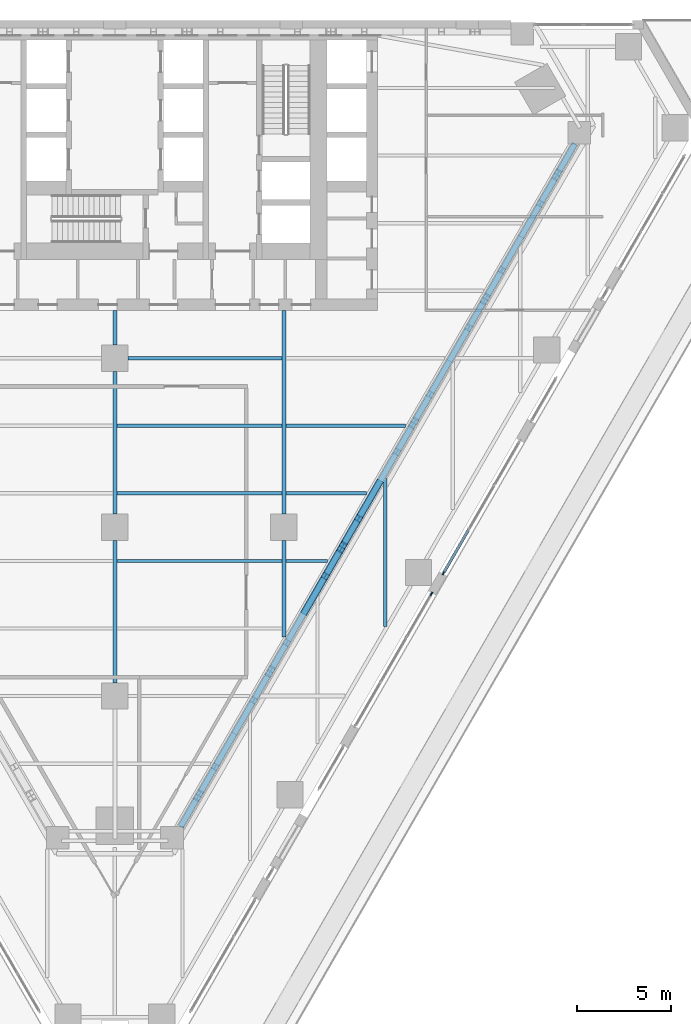
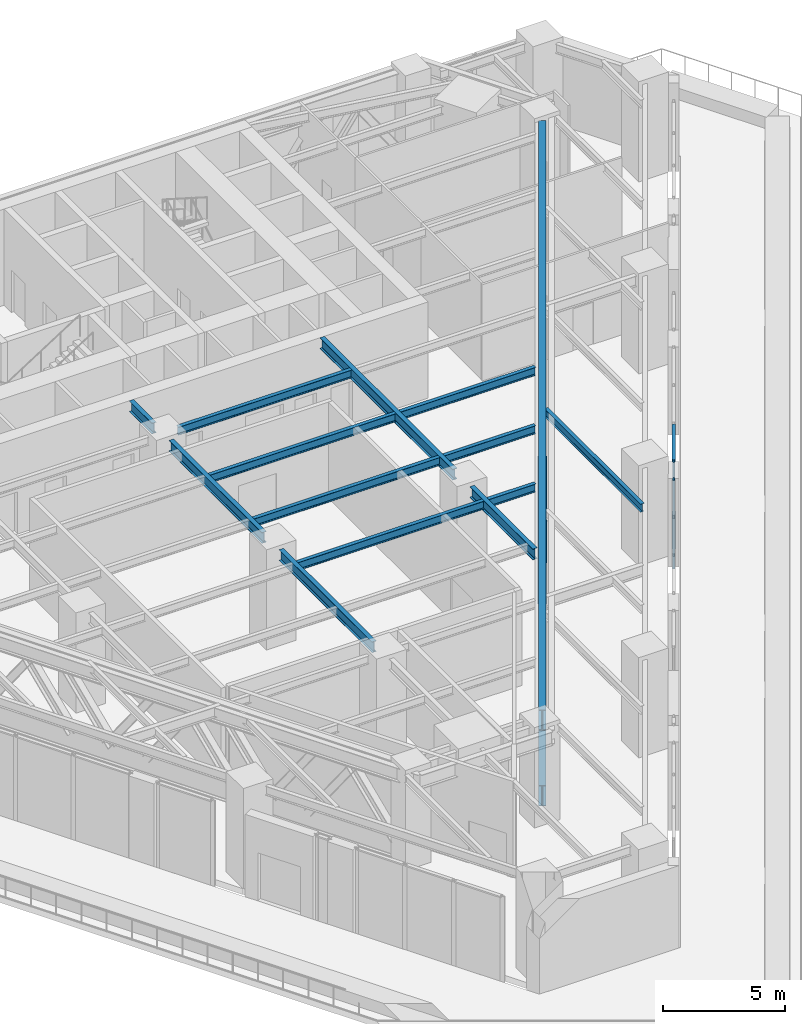
# One storey, part 7 of 25: 15 beams, 8 members, 2 elements without a shape of their own.
"""IFC4 building model written with IfcOpenShell, lengths in metres."""

from ifc_helpers import new_model, si_unit, direction, frame, origin, origin_2d, place, context, subcontext, project, spatial, rectangle, i_section, extrude, material, material_profile, profile_set, type_object, element, aggregate, save


model = new_model("IFC4")

# Units and contexts
model_context = context("Model", 3, precision=1e-05, world=origin(), true_north=direction((0.0, 1.0)))
body_context = subcontext(model_context, "Body", "Model", "MODEL_VIEW")
ifc_project = project(units=[si_unit("LENGTHUNIT", "METRE"), si_unit("AREAUNIT", "SQUARE_METRE"), si_unit("VOLUMEUNIT", "CUBIC_METRE"), si_unit("PLANEANGLEUNIT", "RADIAN"), si_unit("MASSUNIT", "GRAM", prefix="KILO")], contexts=[model_context])

# Site, building, storey
site_placement = place(None, origin())
site = spatial("IfcSite", under=ifc_project, at=site_placement, CompositionType="ELEMENT")
building_placement = place(site_placement, origin())
building = spatial("IfcBuilding", under=site, at=building_placement, Name="Aloe Facet Convention Tower", CompositionType="ELEMENT")
storey_placement = place(building_placement, frame((0.0, 0.0, 30.0)))
storey = spatial("IfcBuildingStorey", under=building, at=storey_placement, Name="L05", CompositionType="ELEMENT", Elevation=30.0)

# Curtain wall, member
ifc_material_1 = material(Name="Aluminium, anodised", Category="aluminium")
curtain_wall_type = type_object("IfcCurtainWallType", Name="EV-CW-HALL", PredefinedType="USERDEFINED", material=ifc_material_1)
curtain_wall_1_placement = place(storey_placement, origin())
curtain_wall_1 = element("IfcCurtainWall", 1, at=curtain_wall_1_placement, inside=storey, type_object=curtain_wall_type, Name="CW-L05-E06", ObjectType="UNITISED HALL GLAZING", PredefinedType="USERDEFINED")
ifc_material_2 = material(Name="Aluminium, anodised", Category="aluminium")
ifc_material_profile_1 = material_profile(ifc_material_2, rectangle(XDim=0.06494140625, YDim=0.199951171875, at=origin_2d()), Name="AL 65x200")
ifc_profile_set_1 = profile_set([ifc_material_profile_1], Name="Aluminium, anodised")
member_type_1 = type_object("IfcMemberType", Name="EV-MULL-HALL", PredefinedType="MULLION", material=ifc_profile_set_1)
member_1_placement = place(storey_placement, frame((96.875732421875, 104.449951171875, -0.300048828125), z_axis=(0.0, 0.0, 1.0), x_axis=(-0.866025403784, 0.5, 0.0)))
member_1 = element("IfcMember", 2, at=member_1_placement, type_object=member_type_1, Name="CW-L05-E06 mullion 4", PredefinedType="MULLION", context=body_context, shape_type="SweptSolid", body=[
    extrude(rectangle(XDim=0.06494140625, YDim=0.199951171875, at=origin_2d()), origin(), (0.0, 0.0, 1.0), 4.41259765625),
])
aggregate(curtain_wall_1, [member_1])

# Curtain wall, members
curtain_wall_2_placement = place(storey_placement, origin())
curtain_wall_2 = element("IfcCurtainWall", 3, at=curtain_wall_2_placement, inside=storey, type_object=curtain_wall_type, Name="CW-L05-E08", ObjectType="UNITISED HALL GLAZING", PredefinedType="USERDEFINED")
member_2_placement = place(storey_placement, frame((97.508056640625, 105.54541015625, -0.300048828125), z_axis=(0.0, 0.0, 1.0), x_axis=(-0.866025403784, 0.5, 0.0)))
member_2 = element("IfcMember", 4, at=member_2_placement, type_object=member_type_1, Name="CW-L05-E08 mullion 1", PredefinedType="MULLION", context=body_context, shape_type="SweptSolid", body=[
    extrude(rectangle(XDim=0.06494140625, YDim=0.199951171875, at=origin_2d()), origin(), (0.0, 0.0, 1.0), 4.41259765625),
])
ifc_material_3 = material(Name="Aluminium, anodised", Category="aluminium")
ifc_material_profile_2 = material_profile(ifc_material_3, rectangle(XDim=0.159912109375, YDim=0.06494140625, at=origin_2d()), Name="AL 160x65")
ifc_profile_set_2 = profile_set([ifc_material_profile_2], Name="Aluminium, anodised")
member_type_2 = type_object("IfcMemberType", Name="EV-TRAN-HALL", PredefinedType="USERDEFINED", material=ifc_profile_set_2)
member_3_placement = place(storey_placement, frame((97.5244140625, 105.57373046875, -0.267578125), z_axis=(0.500008751707, 0.866020350925, 0.0), x_axis=(-0.866020350925, 0.500008751707, 0.0)))
member_3 = element("IfcMember", 5, at=member_3_placement, type_object=member_type_2, Name="CW-L05-E08 transom 1.1", ObjectType="TRANSOM", PredefinedType="USERDEFINED", context=body_context, shape_type="SweptSolid", body=[
    extrude(rectangle(XDim=0.159912109375, YDim=0.06494140625, at=origin_2d()), origin(), (0.0, 0.0, 1.0), 2.6328125),
])
member_4_placement = place(storey_placement, frame((97.5244140625, 105.57373046875, 4.080078125), z_axis=(0.500008751707, 0.866020350925, 0.0), x_axis=(-0.866020350925, 0.500008751707, 0.0)))
member_4 = element("IfcMember", 6, at=member_4_placement, type_object=member_type_2, Name="CW-L05-E08 transom 1.2", ObjectType="TRANSOM", PredefinedType="USERDEFINED", context=body_context, shape_type="SweptSolid", body=[
    extrude(rectangle(XDim=0.159912109375, YDim=0.06494140625, at=origin_2d()), origin(), (0.0, 0.0, 1.0), 2.6328125),
])
aggregate(curtain_wall_2, [member_2, member_3, member_4])

# Beams
ifc_material_4 = material(Name="Steel S355", Category="steel")
ifc_material_profile_3 = material_profile(ifc_material_4, i_section(OverallWidth=0.305419921875, OverallDepth=1.02587890625, WebThickness=0.02001953125, FlangeThickness=0.031005859375, FilletRadius=0.030029296875, at=origin_2d()), Name="UB 1016x305x349")
ifc_profile_set_3 = profile_set([ifc_material_profile_3], Name="Steel S355")
beam_type_1 = type_object("IfcBeamType", Name="SF-B-UB1016x305x349", PredefinedType="BEAM", material=ifc_profile_set_3)
for number, where, z_axis, x_axis, name in (
    (7, (83.505615234375, 92.04248046875, 4.287109375), (0.499998268199, 0.866026403638, 0.0), (-0.866026403638, 0.499998268199, 0.0), "Transfer ring chord TR-F3-T"),
    (8, (83.505615234375, 92.04248046875, 0.512939453125), (0.499998268199, 0.866026403638, 0.0), (-0.866026403638, 0.499998268199, 0.0), "Transfer ring chord TR-F3-B"),
):
    element("IfcBeam", number, at=place(storey_placement, frame(where, z_axis=z_axis, x_axis=x_axis)), inside=storey, type_object=beam_type_1, Name=name, PredefinedType="BEAM", context=body_context, shape_type="SweptSolid", body=[
        extrude(i_section(OverallWidth=0.305419921875, OverallDepth=1.02587890625, WebThickness=0.02001953125, FlangeThickness=0.031005859375, FilletRadius=0.030029296875, at=origin_2d()), origin(), (0.0, 0.0, 1.0), 42.014404296875),
    ])
ifc_material_5 = material(Name="Steel S355", Category="steel")
ifc_material_profile_4 = material_profile(ifc_material_5, i_section(OverallWidth=0.177734375, OverallDepth=0.402587890625, WebThickness=0.0078125, FlangeThickness=0.010986328125, FilletRadius=0.01025390625, at=origin_2d()), Name="UB 406x178x54")
ifc_profile_set_4 = profile_set([ifc_material_profile_4], Name="Steel S355")
beam_type_2 = type_object("IfcBeamType", Name="SF-B-UB406x178x54", PredefinedType="BEAM", material=ifc_profile_set_4)
beam_1_placement = place(storey_placement, frame((94.39990234375, 102.7119140625, 4.5986328125), z_axis=(0.0, 1.0, 0.0), x_axis=(-1.0, 0.0, 0.0)))
element("IfcBeam", 9, at=beam_1_placement, inside=storey, type_object=beam_type_2, Name="Floor beam FB-L06-834", PredefinedType="BEAM", context=body_context, shape_type="SweptSolid", body=[
    extrude(i_section(OverallWidth=0.177734375, OverallDepth=0.402587890625, WebThickness=0.0078125, FlangeThickness=0.010986328125, FilletRadius=0.01025390625, at=origin_2d()), origin(), (0.0, 0.0, 1.0), 7.884765625),
])
for number, where, z_axis, x_axis, name in (
    (10, (80.10546875, 106.199951171875, 4.5986328125), (1.0, 0.0, 0.0), (0.0, 1.0, 0.0), "Floor beam FB-Z1A-036"),
    (11, (80.10546875, 109.800048828125, 4.5986328125), (1.0, 0.0, 0.0), (0.0, 1.0, 0.0), "Floor beam FB-Z1A-037"),
    (12, (80.10546875, 113.39990234375, 4.5986328125), (1.0, 0.0, 0.0), (0.0, 1.0, 0.0), "Floor beam FB-Z1A-038"),
):
    element("IfcBeam", number, at=place(storey_placement, frame(where, z_axis=z_axis, x_axis=x_axis)), inside=storey, type_object=beam_type_2, Name=name, PredefinedType="BEAM", context=body_context, shape_type="SweptSolid", body=[
        extrude(i_section(OverallWidth=0.177734375, OverallDepth=0.402587890625, WebThickness=0.0078125, FlangeThickness=0.010986328125, FilletRadius=0.01025390625, at=origin_2d()), origin(), (0.0, 0.0, 1.0), 8.7890625),
    ])
beam_2_placement = place(storey_placement, frame((80.699951171875, 117.0, 4.5986328125), z_axis=(1.0, 0.0, 0.0), x_axis=(0.0, 1.0, 0.0)))
element("IfcBeam", 13, at=beam_2_placement, inside=storey, type_object=beam_type_2, Name="Floor beam FB-Z1A-040", PredefinedType="BEAM", context=body_context, shape_type="SweptSolid", body=[
    extrude(i_section(OverallWidth=0.177734375, OverallDepth=0.402587890625, WebThickness=0.0078125, FlangeThickness=0.010986328125, FilletRadius=0.01025390625, at=origin_2d()), origin(), (0.0, 0.0, 1.0), 8.194580078125),
])
beam_3_placement = place(storey_placement, frame((89.10546875, 106.199951171875, 4.5986328125), z_axis=(1.0, 0.0, 0.0), x_axis=(0.0, 1.0, 0.0)))
element("IfcBeam", 14, at=beam_3_placement, inside=storey, type_object=beam_type_2, Name="Floor beam FB-Z1A-041", PredefinedType="BEAM", context=body_context, shape_type="SweptSolid", body=[
    extrude(i_section(OverallWidth=0.177734375, OverallDepth=0.402587890625, WebThickness=0.0078125, FlangeThickness=0.010986328125, FilletRadius=0.01025390625, at=origin_2d()), origin(), (0.0, 0.0, 1.0), 2.229248046875),
])
beam_4_placement = place(storey_placement, frame((89.10546875, 109.800048828125, 4.5986328125), z_axis=(1.0, 0.0, 0.0), x_axis=(0.0, 1.0, 0.0)))
element("IfcBeam", 15, at=beam_4_placement, inside=storey, type_object=beam_type_2, Name="Floor beam FB-Z1A-042", PredefinedType="BEAM", context=body_context, shape_type="SweptSolid", body=[
    extrude(i_section(OverallWidth=0.177734375, OverallDepth=0.402587890625, WebThickness=0.0078125, FlangeThickness=0.010986328125, FilletRadius=0.01025390625, at=origin_2d()), origin(), (0.0, 0.0, 1.0), 4.3076171875),
])
beam_5_placement = place(storey_placement, frame((89.10546875, 113.39990234375, 4.5986328125), z_axis=(1.0, 0.0, 0.0), x_axis=(0.0, 1.0, 0.0)))
element("IfcBeam", 16, at=beam_5_placement, inside=storey, type_object=beam_type_2, Name="Floor beam FB-Z1A-043", PredefinedType="BEAM", context=body_context, shape_type="SweptSolid", body=[
    extrude(i_section(OverallWidth=0.177734375, OverallDepth=0.402587890625, WebThickness=0.0078125, FlangeThickness=0.010986328125, FilletRadius=0.01025390625, at=origin_2d()), origin(), (0.0, 0.0, 1.0), 6.38623046875),
])
ifc_material_6 = material(Name="Steel S355", Category="steel")
ifc_material_profile_5 = material_profile(ifc_material_6, i_section(OverallWidth=0.210693359375, OverallDepth=0.53955078125, WebThickness=0.01171875, FlangeThickness=0.018798828125, FilletRadius=0.0126953125, at=origin_2d()), Name="UB 533x210x109")
ifc_profile_set_5 = profile_set([ifc_material_profile_5], Name="Steel S355")
beam_type_3 = type_object("IfcBeamType", Name="SF-B-UB533x210x109", PredefinedType="BEAM", material=ifc_profile_set_5)
for number, where, z_axis, x_axis, name in (
    (17, (80.0, 107.300048828125, 4.5302734375), (0.0, -1.0, 0.0), (1.0, 0.0, 0.0), "Floor beam FB-Z1A-012"),
    (18, (80.0, 116.300048828125, 4.5302734375), (0.0, -1.0, 0.0), (1.0, 0.0, 0.0), "Floor beam FB-Z1A-013"),
):
    element("IfcBeam", number, at=place(storey_placement, frame(where, z_axis=z_axis, x_axis=x_axis)), inside=storey, type_object=beam_type_3, Name=name, PredefinedType="BEAM", context=body_context, shape_type="SweptSolid", body=[
        extrude(i_section(OverallWidth=0.210693359375, OverallDepth=0.53955078125, WebThickness=0.01171875, FlangeThickness=0.018798828125, FilletRadius=0.0126953125, at=origin_2d()), origin(), (0.0, 0.0, 1.0), 7.60009765625),
    ])
beam_6_placement = place(storey_placement, frame((80.0, 119.550048828125, 4.5302734375), z_axis=(0.0, -1.0, 0.0), x_axis=(1.0, 0.0, 0.0)))
element("IfcBeam", 19, at=beam_6_placement, inside=storey, type_object=beam_type_3, Name="Floor beam FB-Z1A-014", PredefinedType="BEAM", context=body_context, shape_type="SweptSolid", body=[
    extrude(i_section(OverallWidth=0.210693359375, OverallDepth=0.53955078125, WebThickness=0.01171875, FlangeThickness=0.018798828125, FilletRadius=0.0126953125, at=origin_2d()), origin(), (0.0, 0.0, 1.0), 1.85009765625),
])
beam_7_placement = place(storey_placement, frame((89.0, 107.300048828125, 4.5302734375), z_axis=(0.0, -1.0, 0.0), x_axis=(1.0, 0.0, 0.0)))
element("IfcBeam", 20, at=beam_7_placement, inside=storey, type_object=beam_type_3, Name="Floor beam FB-Z1A-015", PredefinedType="BEAM", context=body_context, shape_type="SweptSolid", body=[
    extrude(i_section(OverallWidth=0.210693359375, OverallDepth=0.53955078125, WebThickness=0.01171875, FlangeThickness=0.018798828125, FilletRadius=0.0126953125, at=origin_2d()), origin(), (0.0, 0.0, 1.0), 5.1513671875),
])
beam_8_placement = place(storey_placement, frame((89.0, 119.550048828125, 4.5302734375), z_axis=(0.0, -1.0, 0.0), x_axis=(1.0, 0.0, 0.0)))
element("IfcBeam", 21, at=beam_8_placement, inside=storey, type_object=beam_type_3, Name="Floor beam FB-Z1A-016", PredefinedType="BEAM", context=body_context, shape_type="SweptSolid", body=[
    extrude(i_section(OverallWidth=0.210693359375, OverallDepth=0.53955078125, WebThickness=0.01171875, FlangeThickness=0.018798828125, FilletRadius=0.0126953125, at=origin_2d()), origin(), (0.0, 0.0, 1.0), 10.85009765625),
])

# Members
ifc_material_7 = material(Name="Steel S355", Category="steel")
ifc_material_profile_6 = material_profile(ifc_material_7, i_section(OverallWidth=0.374755859375, OverallDepth=0.37451171875, WebThickness=0.0166015625, FlangeThickness=0.027099609375, FilletRadius=0.01513671875, at=origin_2d()), Name="UC 356x368x202")
ifc_profile_set_6 = profile_set([ifc_material_profile_6], Name="Steel S355")
member_type_3 = type_object("IfcMemberType", Name="SF-W-UC356x368x202", PredefinedType="BRACE", material=ifc_profile_set_6)
for number, where, z_axis, x_axis, name in (
    (22, (90.120361328125, 103.499267578125, 0.825927734375), (0.285304587634, 0.49418830358, 0.821205950344), (-0.866036909293, 0.499980071345, 0.0), "Transfer ring diagonal TW-F3-08"),
    (23, (91.0751953125, 105.1533203125, 0.825927734375), (0.285304587634, 0.49418830358, 0.821205950344), (-0.866036909293, 0.499980071345, 0.0), "Transfer ring diagonal TW-F3-09"),
    (24, (92.030029296875, 106.80712890625, 3.97412109375), (0.285304587634, 0.49418830358, -0.821205950344), (-0.866036909293, 0.499980071345, 0.0), "Transfer ring diagonal TW-F3-10"),
    (25, (92.98486328125, 108.4609375, 3.97412109375), (0.285354105547, 0.494227452165, -0.821165184341), (-0.866016486034, 0.500015445679, 0.0), "Transfer ring diagonal TW-F3-11"),
):
    element("IfcMember", number, at=place(storey_placement, frame(where, z_axis=z_axis, x_axis=x_axis)), inside=storey, type_object=member_type_3, Name=name, PredefinedType="BRACE", context=body_context, shape_type="SweptSolid", body=[
        extrude(i_section(OverallWidth=0.374755859375, OverallDepth=0.37451171875, WebThickness=0.0166015625, FlangeThickness=0.027099609375, FilletRadius=0.01513671875, at=origin_2d()), origin(), (0.0, 0.0, 1.0), 3.833740234375),
    ])

save(model, "model.ifc")
